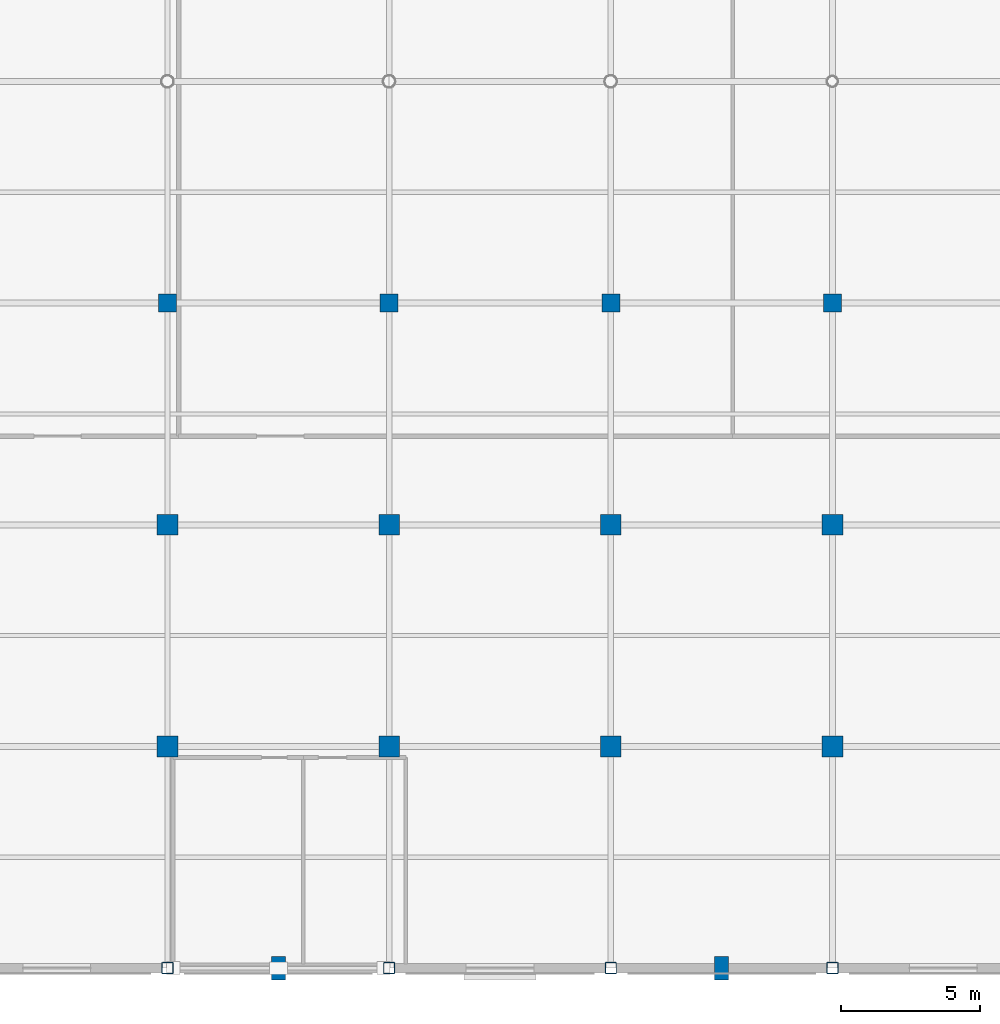
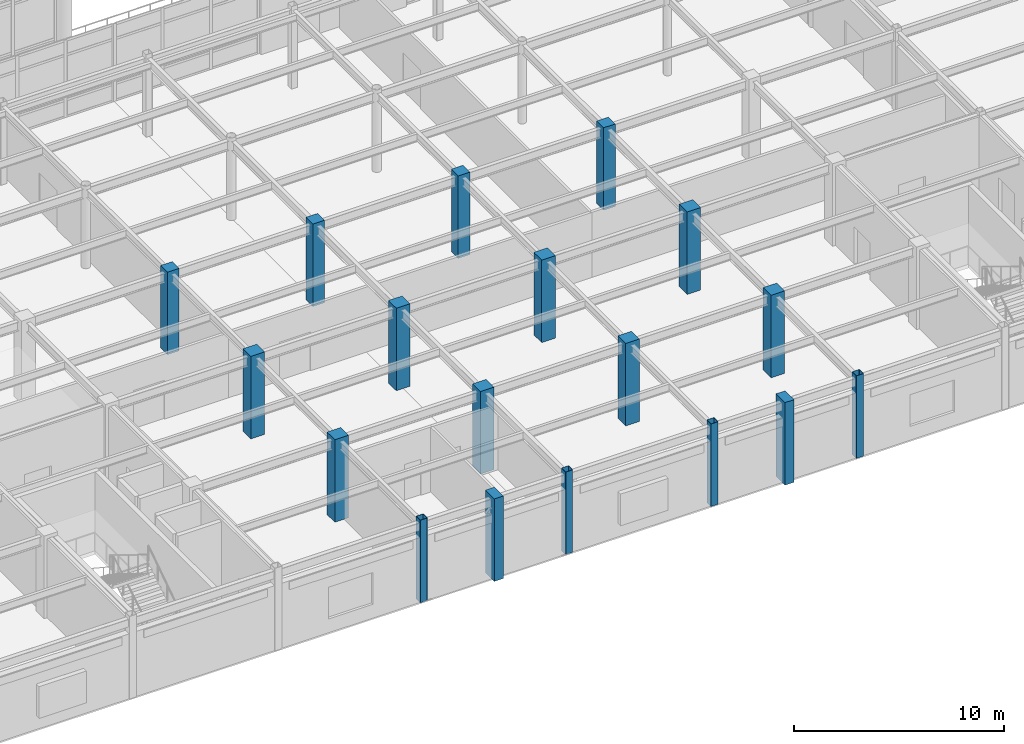
# One storey, part 6 of 117: 18 columns.
"""IFC4 building model written with IfcOpenShell, lengths in metres."""

from ifc_helpers import new_model, si_unit, direction, frame, origin, origin_2d, place, context, subcontext, project, spatial, rectangle, hollow_rectangle, extrude, material, material_profile, profile_set, type_object, element, save


model = new_model("IFC4")

# Units and contexts
model_context = context("Model", 3, precision=1e-05, world=origin(), true_north=direction((0.0, 1.0)))
body_context = subcontext(model_context, "Body", "Model", "MODEL_VIEW")
ifc_project = project(units=[si_unit("LENGTHUNIT", "METRE"), si_unit("AREAUNIT", "SQUARE_METRE"), si_unit("VOLUMEUNIT", "CUBIC_METRE"), si_unit("PLANEANGLEUNIT", "RADIAN"), si_unit("MASSUNIT", "GRAM", prefix="KILO")], contexts=[model_context])

# Site, building, storey
site_placement = place(None, origin())
site = spatial("IfcSite", under=ifc_project, at=site_placement, CompositionType="ELEMENT")
building_placement = place(site_placement, origin())
building = spatial("IfcBuilding", under=site, at=building_placement, Name="Solmirada Galleria", CompositionType="ELEMENT")
storey_placement = place(building_placement, frame((0.0, 0.0, 5.60009765625)))
storey = spatial("IfcBuildingStorey", under=building, at=storey_placement, Name="L01", CompositionType="ELEMENT", Elevation=5.60009765625)

# Columns
ifc_material_1 = material(Name="Steel S355 / ASTM A500 Grade C", Category="steel")
ifc_material_profile_1 = material_profile(ifc_material_1, hollow_rectangle(XDim=0.406005859375, YDim=0.406005859375, WallThickness=0.0146484375, InnerFilletRadius=0.0146484375, OuterFilletRadius=0.029296875, at=origin_2d()), Name="HSS16X16X5/8")
ifc_profile_set_1 = profile_set([ifc_material_profile_1], Name="Steel S355 / ASTM A500 Grade C")
column_type_1 = type_object("IfcColumnType", Name="COL-HSS16", PredefinedType="COLUMN", material=ifc_profile_set_1)
for number, where, z_axis, x_axis, name in (
    (1, (104.0, 0.0, 0.0), (0.0, 0.0, 1.0), (1.0, 0.0, 0.0), "Structural column L01-0694"),
    (2, (112.0, 0.0, 0.0), (0.0, 0.0, 1.0), (1.0, 0.0, 0.0), "Structural column L01-0805"),
    (3, (120.0, 0.0, 0.0), (0.0, 0.0, 1.0), (1.0, 0.0, 0.0), "Structural column L01-0922"),
    (4, (128.0, 0.0, 0.0), (0.0, 0.0, 1.0), (1.0, 0.0, 0.0), "Structural column L01-1005"),
):
    element("IfcColumn", number, at=place(storey_placement, frame(where, z_axis=z_axis, x_axis=x_axis)), inside=storey, type_object=column_type_1, Name=name, PredefinedType="COLUMN", context=body_context, shape_type="SweptSolid", body=[
        extrude(hollow_rectangle(XDim=0.406005859375, YDim=0.406005859375, WallThickness=0.0146484375, InnerFilletRadius=0.0146484375, OuterFilletRadius=0.029296875, at=origin_2d()), origin(), (0.0, 0.0, 1.0), 4.7998046875),
    ])
ifc_material_2 = material(Name="Concrete C40/50", Category="concrete")
ifc_material_profile_2 = material_profile(ifc_material_2, rectangle(XDim=0.64990234375, YDim=0.64990234375, at=origin_2d()), Name="RC650X650")
ifc_profile_set_2 = profile_set([ifc_material_profile_2], Name="Concrete C40/50")
column_type_2 = type_object("IfcColumnType", Name="COL-RC650", PredefinedType="COLUMN", material=ifc_profile_set_2)
for number, where, z_axis, x_axis, name in (
    (5, (104.0, 24.0, 0.0), (0.0, 0.0, 1.0), (1.0, 0.0, 0.0), "Structural column L01-0718"),
    (6, (112.0, 24.0, 0.0), (0.0, 0.0, 1.0), (1.0, 0.0, 0.0), "Structural column L01-0829"),
    (7, (120.0, 24.0, 0.0), (0.0, 0.0, 1.0), (1.0, 0.0, 0.0), "Structural column L01-0946"),
    (8, (128.0, 24.0, 0.0), (0.0, 0.0, 1.0), (1.0, 0.0, 0.0), "Structural column L01-1029"),
):
    element("IfcColumn", number, at=place(storey_placement, frame(where, z_axis=z_axis, x_axis=x_axis)), inside=storey, type_object=column_type_2, Name=name, PredefinedType="COLUMN", context=body_context, shape_type="SweptSolid", body=[
        extrude(rectangle(XDim=0.64990234375, YDim=0.64990234375, at=origin_2d()), origin(), (0.0, 0.0, 1.0), 4.7998046875),
    ])
ifc_material_profile_3 = material_profile(ifc_material_2, rectangle(XDim=0.75, YDim=0.75, at=origin_2d()), Name="RC750X750")
ifc_profile_set_3 = profile_set([ifc_material_profile_3], Name="Concrete C40/50")
column_type_3 = type_object("IfcColumnType", Name="COL-RC750", PredefinedType="COLUMN", material=ifc_profile_set_3)
for number, where, z_axis, x_axis, name in (
    (9, (104.0, 8.0, 0.0), (0.0, 0.0, 1.0), (1.0, 0.0, 0.0), "Structural column L01-0702"),
    (10, (104.0, 16.0, 0.0), (0.0, 0.0, 1.0), (1.0, 0.0, 0.0), "Structural column L01-0710"),
    (11, (112.0, 8.0, 0.0), (0.0, 0.0, 1.0), (1.0, 0.0, 0.0), "Structural column L01-0813"),
    (12, (112.0, 16.0, 0.0), (0.0, 0.0, 1.0), (1.0, 0.0, 0.0), "Structural column L01-0821"),
    (13, (120.0, 8.0, 0.0), (0.0, 0.0, 1.0), (1.0, 0.0, 0.0), "Structural column L01-0930"),
    (14, (120.0, 16.0, 0.0), (0.0, 0.0, 1.0), (1.0, 0.0, 0.0), "Structural column L01-0938"),
    (15, (128.0, 8.0, 0.0), (0.0, 0.0, 1.0), (1.0, 0.0, 0.0), "Structural column L01-1013"),
    (16, (128.0, 16.0, 0.0), (0.0, 0.0, 1.0), (1.0, 0.0, 0.0), "Structural column L01-1021"),
):
    element("IfcColumn", number, at=place(storey_placement, frame(where, z_axis=z_axis, x_axis=x_axis)), inside=storey, type_object=column_type_3, Name=name, PredefinedType="COLUMN", context=body_context, shape_type="SweptSolid", body=[
        extrude(rectangle(XDim=0.75, YDim=0.75, at=origin_2d()), origin(), (0.0, 0.0, 1.0), 4.7998046875),
    ])
ifc_material_3 = material(Name="Precast concrete C40/50", Category="concrete")
ifc_material_profile_4 = material_profile(ifc_material_3, rectangle(XDim=0.5, YDim=0.85009765625, at=origin_2d()), Name="RC850X500")
ifc_profile_set_4 = profile_set([ifc_material_profile_4], Name="Precast concrete C40/50")
column_type_4 = type_object("IfcColumnType", Name="PIL-RC850", PredefinedType="PILASTER", material=ifc_profile_set_4)
for number, where, z_axis, x_axis, name in (
    (17, (108.0, 0.0, 0.0), (0.0, 0.0, 1.0), (1.0, 0.0, 0.0), "Avenue pilaster L01-024"),
    (18, (124.0, 0.0, 0.0), (0.0, 0.0, 1.0), (1.0, 0.0, 0.0), "Avenue pilaster L01-028"),
):
    element("IfcColumn", number, at=place(storey_placement, frame(where, z_axis=z_axis, x_axis=x_axis)), inside=storey, type_object=column_type_4, Name=name, PredefinedType="PILASTER", context=body_context, shape_type="SweptSolid", body=[
        extrude(rectangle(XDim=0.5, YDim=0.85009765625, at=origin_2d()), origin(), (0.0, 0.0, 1.0), 4.7998046875),
    ])

save(model, "model.ifc")
